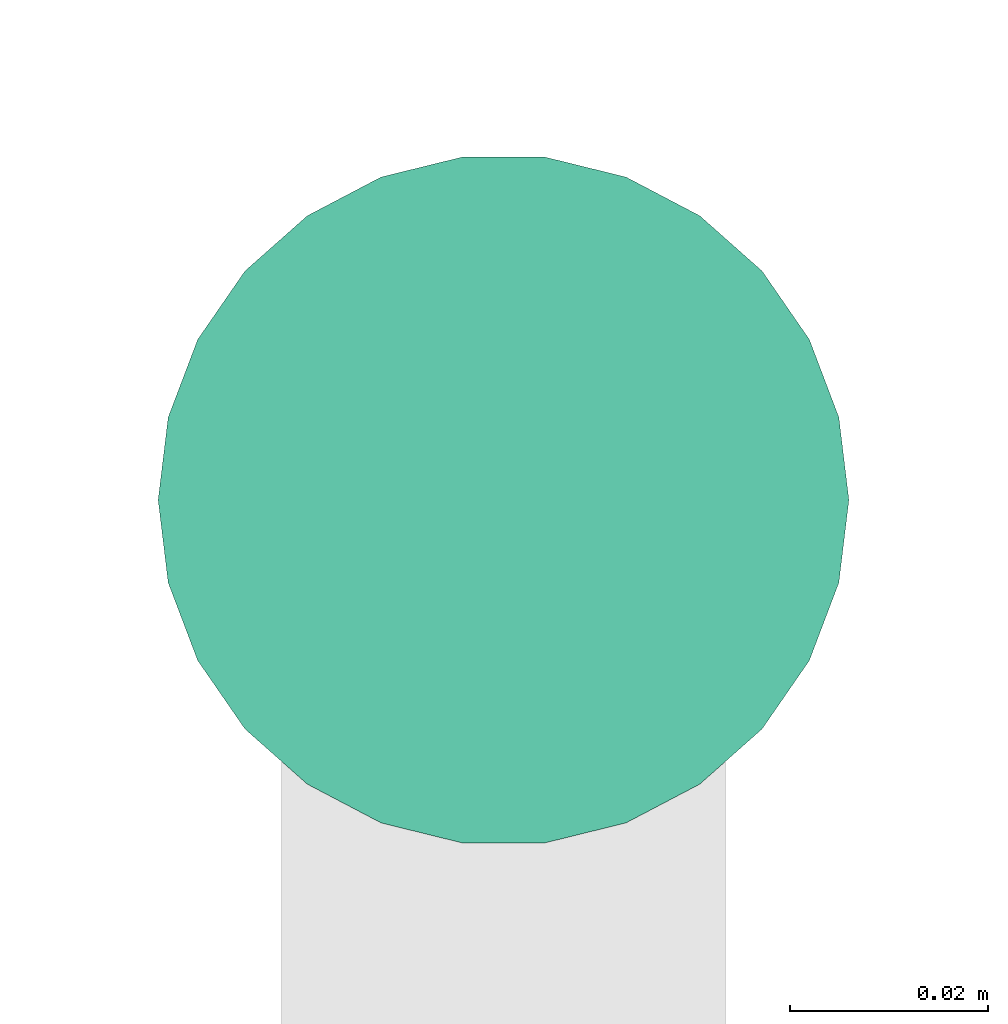
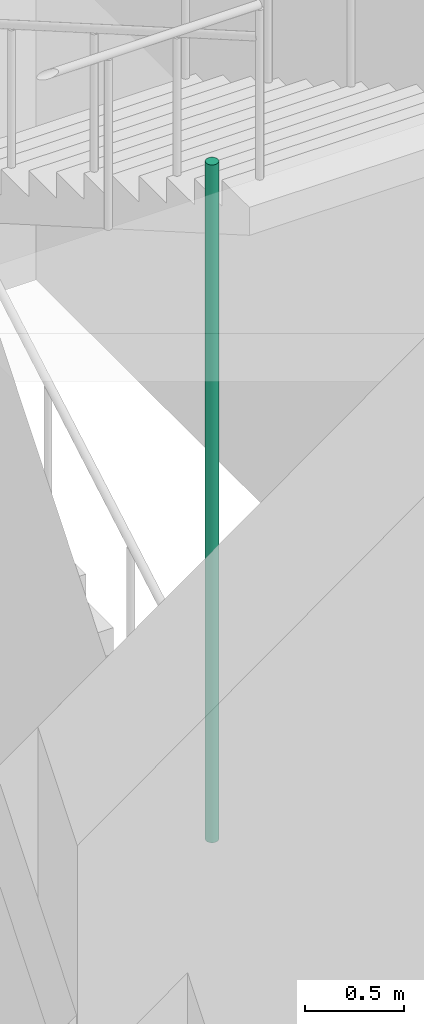
# One storey, part 22 of 26: 1 pipe segment.
"""IFC4 building model written with IfcOpenShell, lengths in metres."""

import ifcopenshell
import ifcopenshell.guid

model = None  # the IFC model being written
_history = None  # IfcOwnerHistory: only IFC2X3 demands one
_inside = {}  # id of a spatial element -> (the spatial element, [elements in it])
_under = {}  # id of a project, library or spatial element -> (it, [spatial elements below it])
_declared = {}  # id of a project -> (the project, [libraries it declares])
_typed = {}  # id of a type object -> (the type object, [elements of that type])
_made_of = {}  # id of a material, layer set ... -> (it, [elements and type objects made of it])


def new_model(schema):
    """Start an empty IFC model of exactly this schema.

    Asked for "IFC4X3", IfcOpenShell would pick the latest addendum, in which some entities
    have other attributes; the version numbers below select the first issue.
    IFC2X3 requires an IfcOwnerHistory on every rooted entity: one is made here for all.
    """
    global model, _history
    if schema == "IFC4X3":
        model = ifcopenshell.file(schema_version=(4, 3, 0, 0))
    else:
        model = ifcopenshell.file(schema=schema)
    _inside.clear()
    _under.clear()
    _declared.clear()
    _typed.clear()
    _made_of.clear()
    _history = None
    if model.schema == "IFC2X3":
        org = make("IfcOrganization", Name="unknown")
        user = make(
            "IfcPersonAndOrganization",
            ThePerson=make("IfcPerson", FamilyName="unknown"),
            TheOrganization=org,
        )
        app = make(
            "IfcApplication",
            ApplicationDeveloper=org,
            Version="unknown",
            ApplicationFullName="unknown",
            ApplicationIdentifier="unknown",
        )
        _history = make(
            "IfcOwnerHistory",
            OwningUser=user,
            OwningApplication=app,
            ChangeAction="ADDED",
            CreationDate=0,
        )
    return model


def make(cls, **values):
    """One entity of the class cls with the attributes given. An attribute that is None is left unset."""
    return model.create_entity(
        cls, **{name: value for name, value in values.items() if value is not None}
    )


def rooted(cls, **values):
    """An entity with a GlobalId (a new one), such as an element, a storey or a relation."""
    return make(cls, GlobalId=ifcopenshell.guid.new(), OwnerHistory=_history, **values)


def si_unit(unit_type, name, prefix=None):
    """IfcSIUnit, for example si_unit("LENGTHUNIT", "METRE", prefix="MILLI")."""
    return make("IfcSIUnit", UnitType=unit_type, Prefix=prefix, Name=name)


def assignment(units):
    """IfcUnitAssignment: the units of a project."""
    return None if units is None else make("IfcUnitAssignment", Units=units)


def point(xyz):
    """IfcCartesianPoint."""
    return None if xyz is None else make("IfcCartesianPoint", Coordinates=xyz)


def direction(xyz):
    """IfcDirection."""
    return None if xyz is None else make("IfcDirection", DirectionRatios=xyz)


def frame(location, z_axis=None, x_axis=None):
    """IfcAxis2Placement3D, a coordinate frame: its origin and axes. An axis left out is left unset."""
    return make(
        "IfcAxis2Placement3D",
        Location=point(location),
        Axis=direction(z_axis),
        RefDirection=direction(x_axis),
    )


def frame_2d(location, x_axis=None):
    """IfcAxis2Placement2D, a coordinate frame in the plane: its origin and x axis."""
    return make(
        "IfcAxis2Placement2D", Location=point(location), RefDirection=direction(x_axis)
    )


def origin():
    """The frame at (0, 0, 0) with its axes left unset."""
    return frame((0.0, 0.0, 0.0))


def origin_2d():
    """The frame at (0, 0) in the plane with its x axis left unset."""
    return frame_2d((0.0, 0.0))


def place(relative_to, where):
    """IfcLocalPlacement: puts the frame where relative to a parent placement (None: the world)."""
    return make(
        "IfcLocalPlacement", PlacementRelTo=relative_to, RelativePlacement=where
    )


def context(
    kind, dimensions, precision=None, world=None, true_north=None, identifier=None
):
    """IfcGeometricRepresentationContext, for example the 3D "Model" context."""
    return make(
        "IfcGeometricRepresentationContext",
        ContextIdentifier=identifier,
        ContextType=kind,
        CoordinateSpaceDimension=dimensions,
        Precision=precision,
        WorldCoordinateSystem=world,
        TrueNorth=true_north,
    )


def subcontext(parent, identifier, kind, view, scale=None):
    """IfcGeometricRepresentationSubContext, for example "Body" below "Model"."""
    return make(
        "IfcGeometricRepresentationSubContext",
        ContextIdentifier=identifier,
        ContextType=kind,
        ParentContext=parent,
        TargetScale=scale,
        TargetView=view,
    )


def project(units=None, contexts=None):
    """IfcProject with its units and contexts."""
    return rooted(
        "IfcProject",
        Name="project",
        RepresentationContexts=contexts,
        UnitsInContext=assignment(units),
    )


def spatial(cls, under=None, at=None, **own):
    """A site, building, storey or space (cls), placed at a placement, below another one or the project."""
    s = rooted(cls, ObjectPlacement=at, **own)
    if under is not None:
        _under.setdefault(under.id(), (under, []))[1].append(s)
    return s


def profile(cls, at=None, kind="AREA", **sizes):
    """A parametric profile (cls). Its sizes go by their IFC names, for example OverallWidth=200.0."""
    return make(cls, ProfileType=kind, Position=at, **sizes)


def circle(**sizes):
    """IfcCircleProfileDef."""
    return profile("IfcCircleProfileDef", **sizes)


def extrude(swept, where, along, depth):
    """IfcExtrudedAreaSolid: the profile swept, set in the frame where, extruded along a direction by depth."""
    return make(
        "IfcExtrudedAreaSolid",
        SweptArea=swept,
        Position=where,
        ExtrudedDirection=direction(along),
        Depth=depth,
    )


def shape(context_of_items, identifier, shape_type, items):
    """IfcShapeRepresentation: the items that make up one representation, for example the "Body"."""
    return make(
        "IfcShapeRepresentation",
        ContextOfItems=context_of_items,
        RepresentationIdentifier=identifier,
        RepresentationType=shape_type,
        Items=items,
    )


def made_of(thing, what):
    """Note that an element or type object is made of a material, layer set ...; save() writes the relation."""
    if what is not None:
        _made_of.setdefault(what.id(), (what, []))[1].append(thing)
    return thing


def element(
    cls,
    number,
    at=None,
    inside=None,
    cuts=None,
    type_object=None,
    material=None,
    context=None,
    identifier="Body",
    shape_type=None,
    held_by="IfcProductDefinitionShape",
    body=None,
    shapes=None,
    **own,
):
    """One element of the class cls, such as IfcWall. Its Tag is "e" and its number.

    at: its placement. inside: the storey or other place that contains it. cuts: it is an
    opening in that element (IfcRelVoidsElement). A single representation is given by context,
    identifier, shape_type and body (its items); several are given by shapes. held_by: the class
    of the entity that holds the representations. save() writes the other relations.
    """
    e = rooted(cls, Tag="e%d" % number, ObjectPlacement=at, **own)
    if body is not None:
        shapes = [shape(context, identifier, shape_type, body)]
    if shapes is not None:
        e.Representation = make(held_by, Representations=shapes)
    if inside is not None:
        _inside.setdefault(inside.id(), (inside, []))[1].append(e)
    if cuts is not None:
        rooted(
            "IfcRelVoidsElement", RelatingBuildingElement=cuts, RelatedOpeningElement=e
        )
    if type_object is not None:
        _typed.setdefault(type_object.id(), (type_object, []))[1].append(e)
    return made_of(e, material)


def aggregate(whole, parts):
    """IfcRelAggregates: a whole, such as a stair, and the parts it consists of."""
    return rooted("IfcRelAggregates", RelatingObject=whole, RelatedObjects=parts)


def save(model, path):
    """Write the relations noted so far, then the file.

    IfcRelAggregates (storeys below a building ...), IfcRelContainedInSpatialStructure (elements
    in a storey), IfcRelDefinesByType, IfcRelAssociatesMaterial and IfcRelDeclares: one each for
    every whole, place, type object, material and project.
    """
    for whole, parts in _under.values():
        aggregate(whole, parts)
    for where, things in _inside.values():
        rooted(
            "IfcRelContainedInSpatialStructure",
            RelatedElements=things,
            RelatingStructure=where,
        )
    for kind, things in _typed.values():
        rooted("IfcRelDefinesByType", RelatedObjects=things, RelatingType=kind)
    for what, things in _made_of.values():
        rooted("IfcRelAssociatesMaterial", RelatedObjects=things, RelatingMaterial=what)
    for by, libraries in _declared.values():
        rooted("IfcRelDeclares", RelatingContext=by, RelatedDefinitions=libraries)
    model.write(path)


model = new_model("IFC4")

# Units and contexts
model_context = context("Model", 3, precision=1e-05, world=origin(), true_north=direction((0.0, 1.0)))
body_context = subcontext(model_context, "Body", "Model", "MODEL_VIEW")
ifc_project = project(units=[si_unit("LENGTHUNIT", "METRE"), si_unit("AREAUNIT", "SQUARE_METRE"), si_unit("VOLUMEUNIT", "CUBIC_METRE"), si_unit("PLANEANGLEUNIT", "RADIAN"), si_unit("MASSUNIT", "GRAM", prefix="KILO")], contexts=[model_context])

# Site, building, storey
site_placement = place(None, origin())
site = spatial("IfcSite", under=ifc_project, at=site_placement, CompositionType="ELEMENT")
building_placement = place(site_placement, origin())
building = spatial("IfcBuilding", under=site, at=building_placement, Name="Nzadi Deep Aquarium and Research Tower", CompositionType="ELEMENT")
storey_placement = place(building_placement, frame((0.0, 0.0, 78.10009765625)))
storey = spatial("IfcBuildingStorey", under=building, at=storey_placement, Name="L16", CompositionType="ELEMENT", Elevation=78.10009765625)

# Pipe segment
pipe_segment_placement = place(storey_placement, frame((2.300048828125, 12.320068359375, 0.0), z_axis=(0.0, 0.0, 1.0), x_axis=(1.0, 0.0, 0.0)))
element("IfcPipeSegment", 1, at=pipe_segment_placement, inside=storey, Name="Dry riser ST-Z1-SW L16", PredefinedType="RIGIDSEGMENT", context=body_context, shape_type="SweptSolid", body=[
    extrude(circle(Radius=0.034912109375, at=origin_2d()), origin(), (0.0, 0.0, 1.0), 4.199951171875),
])

save(model, "model.ifc")
